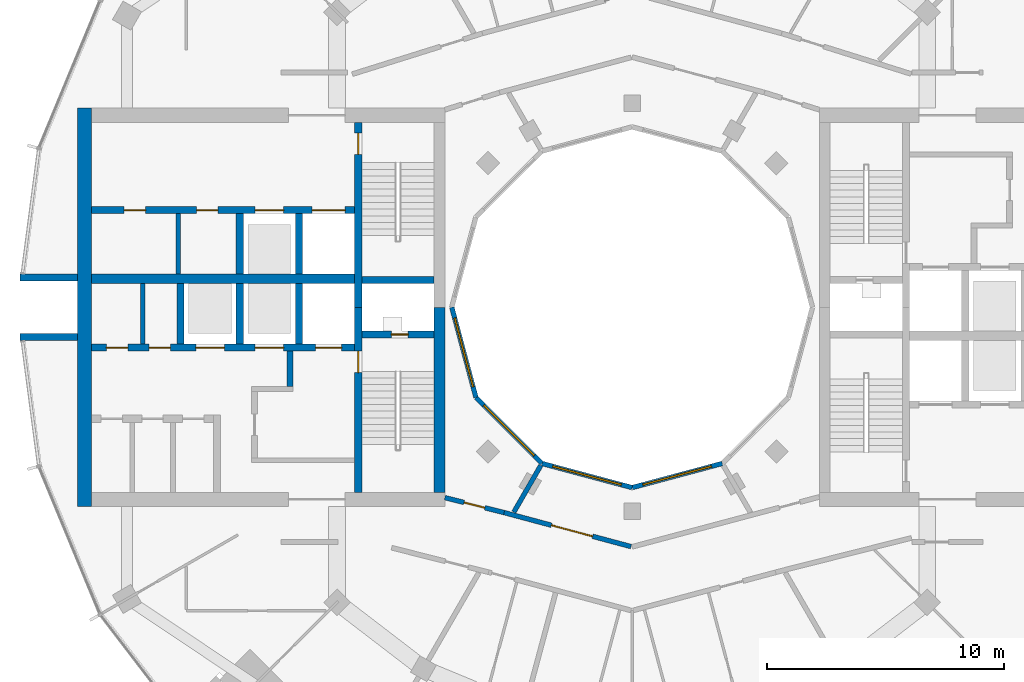
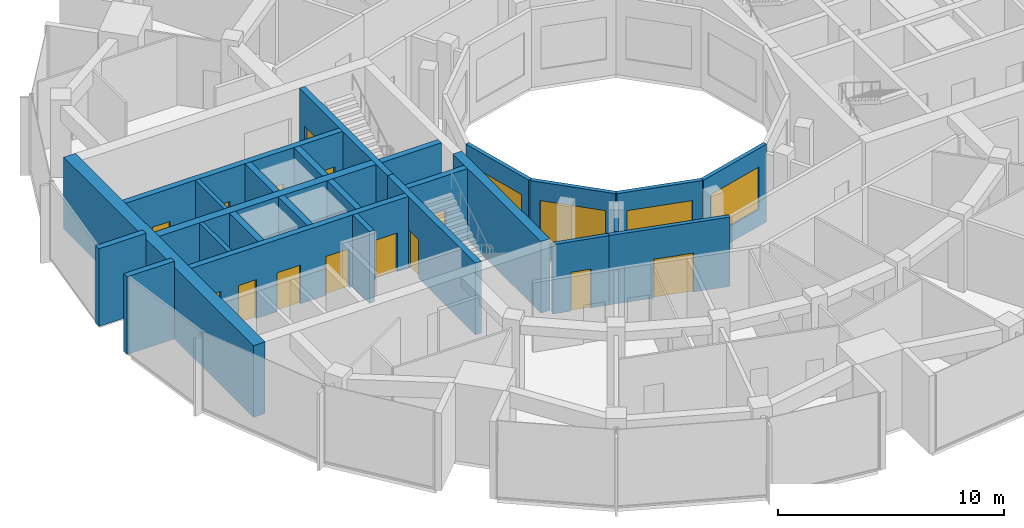
# One storey, part 9 of 15: 26 walls, 14 doors, 4 windows, 18 openings.
"""IFC4 building model written with IfcOpenShell, lengths in metres."""

from ifc_helpers import new_model, si_unit, direction, frame, frame_2d, origin, place, context, subcontext, project, spatial, rectangle, extrude, material, layer, layer_set, type_object, element, fill, save


model = new_model("IFC4")

# Units and contexts
model_context = context("Model", 3, precision=1e-05, world=origin(), true_north=direction((0.0, 1.0)))
body_context = subcontext(model_context, "Body", "Model", "MODEL_VIEW")
ifc_project = project(units=[si_unit("LENGTHUNIT", "METRE"), si_unit("AREAUNIT", "SQUARE_METRE"), si_unit("VOLUMEUNIT", "CUBIC_METRE"), si_unit("PLANEANGLEUNIT", "RADIAN"), si_unit("MASSUNIT", "GRAM", prefix="KILO")], contexts=[model_context])

# Site, building, storey
site_placement = place(None, origin())
site = spatial("IfcSite", under=ifc_project, at=site_placement, CompositionType="ELEMENT")
building_placement = place(site_placement, origin())
building = spatial("IfcBuilding", under=site, at=building_placement, Name="Torre Brocal", CompositionType="ELEMENT")
storey_placement = place(building_placement, frame((0.0, 0.0, 212.5)))
storey = spatial("IfcBuildingStorey", under=building, at=storey_placement, Name="L49", CompositionType="ELEMENT", Elevation=212.5)

# Walls
ifc_material_1 = material(Name="Masonry block", Category="masonry")
ifc_layer_1 = layer(ifc_material_1, 0.199951171875)
ifc_layer_set_1 = layer_set([ifc_layer_1], Name="Masonry block")
wall_type_1 = type_object("IfcWallType", Name="CORE PARTITION 200", PredefinedType="PARTITIONING", material=ifc_layer_set_1)
for number, where, z_axis, x_axis, name in (
    (1, (59.360107421875, 76.0, 0.0), (0.0, 0.0, 1.0), (0.0, -1.0, 0.0), "Wall CP200"),
    (2, (60.860107421875, 78.949951171875, 0.0), (0.0, 0.0, 1.0), (0.0, -1.0, 0.0), "Wall CP200"),
):
    element("IfcWall", number, at=place(storey_placement, frame(where, z_axis=z_axis, x_axis=x_axis)), inside=storey, type_object=wall_type_1, Name=name, PredefinedType="PARTITIONING", context=body_context, shape_type="SweptSolid", body=[
        extrude(rectangle(XDim=2.550048828125, YDim=0.199951171875, at=frame_2d((1.27490234375, 0.0))), origin(), (0.0, 0.0, 1.0), 3.8798828125),
    ])
ifc_material_2 = material(Name="Concrete C60", Category="concrete")
ifc_layer_2 = layer(ifc_material_2, 0.25)
ifc_layer_set_2 = layer_set([ifc_layer_2], Name="Concrete C60")
wall_type_2 = type_object("IfcWallType", Name="CORE WALL 250 C60", PredefinedType="SHEAR", material=ifc_layer_set_2)
wall_1_placement = place(storey_placement, frame((65.574951171875, 73.14990234375, 0.0), z_axis=(0.0, 0.0, 1.0), x_axis=(0.0, -1.0, 0.0)))
element("IfcWall", 3, at=wall_1_placement, inside=storey, type_object=wall_type_2, Name="Wall CW250-60", PredefinedType="SHEAR", context=body_context, shape_type="SweptSolid", body=[
    extrude(rectangle(XDim=1.5, YDim=0.25, at=frame_2d((0.75, 0.0))), origin(), (0.0, 0.0, 1.0), 3.8798828125),
])

# Wall, opening, door
ifc_material_3 = material(Name="Concrete C60", Category="concrete")
ifc_layer_3 = layer(ifc_material_3, 0.300048828125)
ifc_layer_set_3 = layer_set([ifc_layer_3], Name="Concrete C60")
wall_type_3 = type_object("IfcWallType", Name="CORE WALL 300 C60", PredefinedType="SHEAR", material=ifc_layer_set_3)
wall_2_placement = place(storey_placement, frame((68.449951171875, 75.0, 0.0), z_axis=(0.0, 0.0, 1.0), x_axis=(0.0, -1.0, 0.0)))
wall_2 = element("IfcWall", 4, at=wall_2_placement, inside=storey, type_object=wall_type_3, Name="Wall CW300-60", PredefinedType="SHEAR", context=body_context, shape_type="SweptSolid", body=[
    extrude(rectangle(XDim=7.800048828125, YDim=0.300048828125, at=frame_2d((3.89990234375, 0.0))), origin(), (0.0, 0.0, 1.0), 3.8798828125),
])
opening_1_placement = place(wall_2_placement, frame((1.85009765625, 0.0, 0.0)))
opening_1 = element("IfcOpeningElement", 5, at=opening_1_placement, cuts=wall_2, Name="Opening W-D02", PredefinedType="OPENING", context=body_context, shape_type="SweptSolid", body=[
    extrude(rectangle(XDim=0.89990234375, YDim=2.10009765625, at=frame_2d((0.449951171875, 1.050048828125))), frame((0.0, 0.159912109375, 0.0), z_axis=(0.0, -1.0, 0.0), x_axis=(1.0, 0.0, 0.0)), (0.0, 0.0, 1.0), 0.320068359375),
])
ifc_material_4 = material(Name="Steel A653", Category="steel")
door_type_1 = type_object("IfcDoorType", Name="STAIR DOOR FD120 900X2100", OperationType="SINGLE_SWING_RIGHT", PredefinedType="DOOR", material=ifc_material_4)
door_1_placement = place(opening_1_placement, origin())
door_1 = element("IfcDoor", 6, at=door_1_placement, inside=storey, type_object=door_type_1, Name="Door W-D02", OperationType="SINGLE_SWING_LEFT", OverallHeight=2.10009765625, OverallWidth=0.89990234375, PredefinedType="DOOR", context=body_context, shape_type="SweptSolid", body=[
    extrude(rectangle(XDim=0.89990234375, YDim=2.10009765625, at=frame_2d((0.449951171875, 1.050048828125))), frame((0.0, 0.02490234375, 0.0), z_axis=(0.0, -1.0, 0.0), x_axis=(1.0, 0.0, 0.0)), (0.0, 0.0, 1.0), 0.050048828125),
])
fill(opening_1, door_1)

wall_3_placement = place(storey_placement, frame((68.449951171875, 82.800048828125, 0.0), z_axis=(0.0, 0.0, 1.0), x_axis=(0.0, -1.0, 0.0)))
wall_3 = element("IfcWall", 7, at=wall_3_placement, inside=storey, type_object=wall_type_3, Name="Wall CW300-60", PredefinedType="SHEAR", context=body_context, shape_type="SweptSolid", body=[
    extrude(rectangle(XDim=7.800048828125, YDim=0.300048828125, at=frame_2d((3.89990234375, 0.0))), origin(), (0.0, 0.0, 1.0), 3.8798828125),
])
opening_2_placement = place(wall_3_placement, frame((0.449951171875, 0.0, 0.0)))
opening_2 = element("IfcOpeningElement", 8, at=opening_2_placement, cuts=wall_3, Name="Opening W-D03", PredefinedType="OPENING", context=body_context, shape_type="SweptSolid", body=[
    extrude(rectangle(XDim=0.89990234375, YDim=2.10009765625, at=frame_2d((0.449951171875, 1.050048828125))), frame((0.0, 0.159912109375, 0.0), z_axis=(0.0, -1.0, 0.0), x_axis=(1.0, 0.0, 0.0)), (0.0, 0.0, 1.0), 0.320068359375),
])
door_2_placement = place(opening_2_placement, origin())
door_2 = element("IfcDoor", 9, at=door_2_placement, inside=storey, type_object=door_type_1, Name="Door W-D03", OperationType="SINGLE_SWING_LEFT", OverallHeight=2.10009765625, OverallWidth=0.89990234375, PredefinedType="DOOR", context=body_context, shape_type="SweptSolid", body=[
    extrude(rectangle(XDim=0.89990234375, YDim=2.10009765625, at=frame_2d((0.449951171875, 1.050048828125))), frame((0.0, 0.02490234375, 0.0), z_axis=(0.0, -1.0, 0.0), x_axis=(1.0, 0.0, 0.0)), (0.0, 0.0, 1.0), 0.050048828125),
])
fill(opening_2, door_2)

wall_4_placement = place(storey_placement, frame((71.64990234375, 73.85009765625, 0.0), z_axis=(0.0, 0.0, 1.0), x_axis=(-1.0, 0.0, 0.0)))
wall_4 = element("IfcWall", 10, at=wall_4_placement, inside=storey, type_object=wall_type_3, Name="Wall CW300-60", PredefinedType="SHEAR", context=body_context, shape_type="SweptSolid", body=[
    extrude(rectangle(XDim=3.0498046875, YDim=0.300048828125, at=frame_2d((1.52490234375, 0.0))), origin(), (0.0, 0.0, 1.0), 3.8798828125),
])
opening_3_placement = place(wall_4_placement, frame((1.10009765625, 0.0, 0.0)))
opening_3 = element("IfcOpeningElement", 11, at=opening_3_placement, cuts=wall_4, Name="Opening W-D01", PredefinedType="OPENING", context=body_context, shape_type="SweptSolid", body=[
    extrude(rectangle(XDim=0.699951171875, YDim=2.0, at=frame_2d((0.35009765625, 1.0))), frame((0.0, 0.159912109375, 0.0), z_axis=(0.0, -1.0, 0.0), x_axis=(1.0, 0.0, 0.0)), (0.0, 0.0, 1.0), 0.320068359375),
])
ifc_material_5 = material(Name="Steel A653", Category="steel")
door_type_2 = type_object("IfcDoorType", Name="RISER DOOR FD120 700X2000", OperationType="SINGLE_SWING_LEFT", PredefinedType="DOOR", material=ifc_material_5)
door_3_placement = place(opening_3_placement, frame((0.699951171875, 0.0, 0.0), z_axis=(0.0, 0.0, 1.0), x_axis=(-1.0, 0.0, 0.0)))
door_3 = element("IfcDoor", 12, at=door_3_placement, inside=storey, type_object=door_type_2, Name="Door W-D01", OperationType="SINGLE_SWING_RIGHT", OverallHeight=2.0, OverallWidth=0.699951171875, PredefinedType="DOOR", context=body_context, shape_type="SweptSolid", body=[
    extrude(rectangle(XDim=0.699951171875, YDim=2.0, at=frame_2d((0.35009765625, 1.0))), frame((0.0, 0.02490234375, 0.0), z_axis=(0.0, -1.0, 0.0), x_axis=(1.0, 0.0, 0.0)), (0.0, 0.0, 1.0), 0.050048828125),
])
fill(opening_3, door_3)

# Wall
wall_5_placement = place(storey_placement, frame((71.64990234375, 76.14990234375, 0.0), z_axis=(0.0, 0.0, 1.0), x_axis=(-1.0, 0.0, 0.0)))
element("IfcWall", 13, at=wall_5_placement, inside=storey, type_object=wall_type_3, Name="Wall CW300-60", PredefinedType="SHEAR", context=body_context, shape_type="SweptSolid", body=[
    extrude(rectangle(XDim=3.0498046875, YDim=0.300048828125, at=frame_2d((1.52490234375, 0.0))), origin(), (0.0, 0.0, 1.0), 3.8798828125),
])

# Wall, openings, doors
wall_6_placement = place(storey_placement, frame((68.300048828125, 73.300048828125, 0.0), z_axis=(0.0, 0.0, 1.0), x_axis=(-1.0, 0.0, 0.0)))
wall_6 = element("IfcWall", 14, at=wall_6_placement, inside=storey, type_object=wall_type_3, Name="Wall CW300-60", PredefinedType="SHEAR", context=body_context, shape_type="SweptSolid", body=[
    extrude(rectangle(XDim=11.10009765625, YDim=0.300048828125, at=frame_2d((5.550048828125, 0.0))), origin(), (0.0, 0.0, 1.0), 3.8798828125),
])
opening_4_placement = place(wall_6_placement, frame((0.550048828125, 0.0, 0.0)))
opening_4 = element("IfcOpeningElement", 15, at=opening_4_placement, cuts=wall_6, Name="Opening LD", PredefinedType="OPENING", context=body_context, shape_type="SweptSolid", body=[
    extrude(rectangle(XDim=1.10009765625, YDim=2.10009765625, at=frame_2d((0.550048828125, 1.050048828125))), frame((0.0, 0.159912109375, 0.0), z_axis=(0.0, -1.0, 0.0), x_axis=(1.0, 0.0, 0.0)), (0.0, 0.0, 1.0), 0.320068359375),
])
opening_5_placement = place(wall_6_placement, frame((3.0, 0.0, 0.0)))
opening_5 = element("IfcOpeningElement", 16, at=opening_5_placement, cuts=wall_6, Name="Opening LD12", PredefinedType="OPENING", context=body_context, shape_type="SweptSolid", body=[
    extrude(rectangle(XDim=1.199951171875, YDim=2.10009765625, at=frame_2d((0.60009765625, 1.050048828125))), frame((0.0, 0.159912109375, 0.0), z_axis=(0.0, -1.0, 0.0), x_axis=(1.0, 0.0, 0.0)), (0.0, 0.0, 1.0), 0.320068359375),
])
opening_6_placement = place(wall_6_placement, frame((5.5, 0.0, 0.0)))
opening_6 = element("IfcOpeningElement", 17, at=opening_6_placement, cuts=wall_6, Name="Opening LD12", PredefinedType="OPENING", context=body_context, shape_type="SweptSolid", body=[
    extrude(rectangle(XDim=1.199951171875, YDim=2.10009765625, at=frame_2d((0.60009765625, 1.050048828125))), frame((0.0, 0.159912109375, 0.0), z_axis=(0.0, -1.0, 0.0), x_axis=(1.0, 0.0, 0.0)), (0.0, 0.0, 1.0), 0.320068359375),
])
opening_7_placement = place(wall_6_placement, frame((7.77001953125, 0.0, 0.0)))
opening_7 = element("IfcOpeningElement", 18, at=opening_7_placement, cuts=wall_6, Name="Opening W-D04", PredefinedType="OPENING", context=body_context, shape_type="SweptSolid", body=[
    extrude(rectangle(XDim=0.89990234375, YDim=2.10009765625, at=frame_2d((0.449951171875, 1.050048828125))), frame((0.0, 0.159912109375, 0.0), z_axis=(0.0, -1.0, 0.0), x_axis=(1.0, 0.0, 0.0)), (0.0, 0.0, 1.0), 0.320068359375),
])
opening_8_placement = place(wall_6_placement, frame((9.570068359375, 0.0, 0.0)))
opening_8 = element("IfcOpeningElement", 19, at=opening_8_placement, cuts=wall_6, Name="Opening W-D05", PredefinedType="OPENING", context=body_context, shape_type="SweptSolid", body=[
    extrude(rectangle(XDim=0.89990234375, YDim=2.10009765625, at=frame_2d((0.449951171875, 1.050048828125))), frame((0.0, 0.159912109375, 0.0), z_axis=(0.0, -1.0, 0.0), x_axis=(1.0, 0.0, 0.0)), (0.0, 0.0, 1.0), 0.320068359375),
])
ifc_material_6 = material(Name="Stainless steel AISI 316", Category="steel")
door_type_3 = type_object("IfcDoorType", Name="LIFT LANDING DOOR 1100X2100", OperationType="DOUBLE_DOOR_SLIDING", PredefinedType="DOOR", material=ifc_material_6)
door_4_placement = place(opening_4_placement, origin())
door_4 = element("IfcDoor", 20, at=door_4_placement, inside=storey, type_object=door_type_3, Name="Door LD", OperationType="DOUBLE_DOOR_SLIDING", OverallHeight=2.10009765625, OverallWidth=1.10009765625, PredefinedType="DOOR", context=body_context, shape_type="SweptSolid", body=[
    extrude(rectangle(XDim=1.10009765625, YDim=2.10009765625, at=frame_2d((0.550048828125, 1.050048828125))), frame((0.0, 0.02490234375, 0.0), z_axis=(0.0, -1.0, 0.0), x_axis=(1.0, 0.0, 0.0)), (0.0, 0.0, 1.0), 0.050048828125),
])
fill(opening_4, door_4)
ifc_material_7 = material(Name="Stainless steel AISI 316", Category="steel")
door_type_4 = type_object("IfcDoorType", Name="LIFT LANDING DOOR 1200X2100", OperationType="DOUBLE_DOOR_SLIDING", PredefinedType="DOOR", material=ifc_material_7)
door_5_placement = place(opening_5_placement, origin())
door_5 = element("IfcDoor", 21, at=door_5_placement, inside=storey, type_object=door_type_4, Name="Door LD12", OperationType="DOUBLE_DOOR_SLIDING", OverallHeight=2.10009765625, OverallWidth=1.199951171875, PredefinedType="DOOR", context=body_context, shape_type="SweptSolid", body=[
    extrude(rectangle(XDim=1.199951171875, YDim=2.10009765625, at=frame_2d((0.60009765625, 1.050048828125))), frame((0.0, 0.02490234375, 0.0), z_axis=(0.0, -1.0, 0.0), x_axis=(1.0, 0.0, 0.0)), (0.0, 0.0, 1.0), 0.050048828125),
])
fill(opening_5, door_5)
door_6_placement = place(opening_6_placement, origin())
door_6 = element("IfcDoor", 22, at=door_6_placement, inside=storey, type_object=door_type_4, Name="Door LD12", OperationType="DOUBLE_DOOR_SLIDING", OverallHeight=2.10009765625, OverallWidth=1.199951171875, PredefinedType="DOOR", context=body_context, shape_type="SweptSolid", body=[
    extrude(rectangle(XDim=1.199951171875, YDim=2.10009765625, at=frame_2d((0.60009765625, 1.050048828125))), frame((0.0, 0.02490234375, 0.0), z_axis=(0.0, -1.0, 0.0), x_axis=(1.0, 0.0, 0.0)), (0.0, 0.0, 1.0), 0.050048828125),
])
fill(opening_6, door_6)
ifc_material_8 = material(Name="Steel A653", Category="steel")
door_type_5 = type_object("IfcDoorType", Name="ROOM DOOR FD30S 900X2100", OperationType="SINGLE_SWING_LEFT", PredefinedType="DOOR", material=ifc_material_8)
door_7_placement = place(opening_7_placement, frame((0.89990234375, 0.0, 0.0), z_axis=(0.0, 0.0, 1.0), x_axis=(-1.0, 0.0, 0.0)))
door_7 = element("IfcDoor", 23, at=door_7_placement, inside=storey, type_object=door_type_5, Name="Door W-D04", OperationType="SINGLE_SWING_LEFT", OverallHeight=2.10009765625, OverallWidth=0.89990234375, PredefinedType="DOOR", context=body_context, shape_type="SweptSolid", body=[
    extrude(rectangle(XDim=0.89990234375, YDim=2.10009765625, at=frame_2d((0.449951171875, 1.050048828125))), frame((0.0, 0.02490234375, 0.0), z_axis=(0.0, -1.0, 0.0), x_axis=(1.0, 0.0, 0.0)), (0.0, 0.0, 1.0), 0.050048828125),
])
fill(opening_7, door_7)
door_8_placement = place(opening_8_placement, frame((0.89990234375, 0.0, 0.0), z_axis=(0.0, 0.0, 1.0), x_axis=(-1.0, 0.0, 0.0)))
door_8 = element("IfcDoor", 24, at=door_8_placement, inside=storey, type_object=door_type_5, Name="Door W-D05", OperationType="SINGLE_SWING_RIGHT", OverallHeight=2.10009765625, OverallWidth=0.89990234375, PredefinedType="DOOR", context=body_context, shape_type="SweptSolid", body=[
    extrude(rectangle(XDim=0.89990234375, YDim=2.10009765625, at=frame_2d((0.449951171875, 1.050048828125))), frame((0.0, 0.02490234375, 0.0), z_axis=(0.0, -1.0, 0.0), x_axis=(1.0, 0.0, 0.0)), (0.0, 0.0, 1.0), 0.050048828125),
])
fill(opening_8, door_8)

wall_7_placement = place(storey_placement, frame((68.300048828125, 79.10009765625, 0.0), z_axis=(0.0, 0.0, 1.0), x_axis=(-1.0, 0.0, 0.0)))
wall_7 = element("IfcWall", 25, at=wall_7_placement, inside=storey, type_object=wall_type_3, Name="Wall CW300-60", PredefinedType="SHEAR", context=body_context, shape_type="SweptSolid", body=[
    extrude(rectangle(XDim=11.10009765625, YDim=0.300048828125, at=frame_2d((5.550048828125, 0.0))), origin(), (0.0, 0.0, 1.0), 3.8798828125),
])
opening_9_placement = place(wall_7_placement, frame((0.39990234375, 0.0, 0.0)))
opening_9 = element("IfcOpeningElement", 26, at=opening_9_placement, cuts=wall_7, Name="Opening LD14", PredefinedType="OPENING", context=body_context, shape_type="SweptSolid", body=[
    extrude(rectangle(XDim=1.39990234375, YDim=2.10009765625, at=frame_2d((0.699951171875, 1.050048828125))), frame((0.0, 0.159912109375, 0.0), z_axis=(0.0, -1.0, 0.0), x_axis=(1.0, 0.0, 0.0)), (0.0, 0.0, 1.0), 0.320068359375),
])
opening_10_placement = place(wall_7_placement, frame((3.0, 0.0, 0.0)))
opening_10 = element("IfcOpeningElement", 27, at=opening_10_placement, cuts=wall_7, Name="Opening LD12", PredefinedType="OPENING", context=body_context, shape_type="SweptSolid", body=[
    extrude(rectangle(XDim=1.199951171875, YDim=2.10009765625, at=frame_2d((0.60009765625, 1.050048828125))), frame((0.0, 0.159912109375, 0.0), z_axis=(0.0, -1.0, 0.0), x_axis=(1.0, 0.0, 0.0)), (0.0, 0.0, 1.0), 0.320068359375),
])
opening_11_placement = place(wall_7_placement, frame((5.77001953125, 0.0, 0.0)))
opening_11 = element("IfcOpeningElement", 28, at=opening_11_placement, cuts=wall_7, Name="Opening W-D06", PredefinedType="OPENING", context=body_context, shape_type="SweptSolid", body=[
    extrude(rectangle(XDim=0.89990234375, YDim=2.10009765625, at=frame_2d((0.449951171875, 1.050048828125))), frame((0.0, 0.159912109375, 0.0), z_axis=(0.0, -1.0, 0.0), x_axis=(1.0, 0.0, 0.0)), (0.0, 0.0, 1.0), 0.320068359375),
])
opening_12_placement = place(wall_7_placement, frame((8.820068359375, 0.0, 0.0)))
opening_12 = element("IfcOpeningElement", 29, at=opening_12_placement, cuts=wall_7, Name="Opening W-D07", PredefinedType="OPENING", context=body_context, shape_type="SweptSolid", body=[
    extrude(rectangle(XDim=0.89990234375, YDim=2.10009765625, at=frame_2d((0.449951171875, 1.050048828125))), frame((0.0, 0.159912109375, 0.0), z_axis=(0.0, -1.0, 0.0), x_axis=(1.0, 0.0, 0.0)), (0.0, 0.0, 1.0), 0.320068359375),
])
door_9_placement = place(opening_10_placement, origin())
door_9 = element("IfcDoor", 30, at=door_9_placement, inside=storey, type_object=door_type_4, Name="Door LD12", OperationType="DOUBLE_DOOR_SLIDING", OverallHeight=2.10009765625, OverallWidth=1.199951171875, PredefinedType="DOOR", context=body_context, shape_type="SweptSolid", body=[
    extrude(rectangle(XDim=1.199951171875, YDim=2.10009765625, at=frame_2d((0.60009765625, 1.050048828125))), frame((0.0, 0.02490234375, 0.0), z_axis=(0.0, -1.0, 0.0), x_axis=(1.0, 0.0, 0.0)), (0.0, 0.0, 1.0), 0.050048828125),
])
fill(opening_10, door_9)
ifc_material_9 = material(Name="Stainless steel AISI 316", Category="steel")
door_type_6 = type_object("IfcDoorType", Name="LIFT LANDING DOOR 1400X2100", OperationType="DOUBLE_DOOR_SLIDING", PredefinedType="DOOR", material=ifc_material_9)
door_10_placement = place(opening_9_placement, origin())
door_10 = element("IfcDoor", 31, at=door_10_placement, inside=storey, type_object=door_type_6, Name="Door LD14", OperationType="DOUBLE_DOOR_SLIDING", OverallHeight=2.10009765625, OverallWidth=1.39990234375, PredefinedType="DOOR", context=body_context, shape_type="SweptSolid", body=[
    extrude(rectangle(XDim=1.39990234375, YDim=2.10009765625, at=frame_2d((0.699951171875, 1.050048828125))), frame((0.0, 0.02490234375, 0.0), z_axis=(0.0, -1.0, 0.0), x_axis=(1.0, 0.0, 0.0)), (0.0, 0.0, 1.0), 0.050048828125),
])
fill(opening_9, door_10)
door_11_placement = place(opening_11_placement, origin())
door_11 = element("IfcDoor", 32, at=door_11_placement, inside=storey, type_object=door_type_5, Name="Door W-D06", OperationType="SINGLE_SWING_RIGHT", OverallHeight=2.10009765625, OverallWidth=0.89990234375, PredefinedType="DOOR", context=body_context, shape_type="SweptSolid", body=[
    extrude(rectangle(XDim=0.89990234375, YDim=2.10009765625, at=frame_2d((0.449951171875, 1.050048828125))), frame((0.0, 0.02490234375, 0.0), z_axis=(0.0, -1.0, 0.0), x_axis=(1.0, 0.0, 0.0)), (0.0, 0.0, 1.0), 0.050048828125),
])
fill(opening_11, door_11)
door_12_placement = place(opening_12_placement, origin())
door_12 = element("IfcDoor", 33, at=door_12_placement, inside=storey, type_object=door_type_5, Name="Door W-D07", OperationType="SINGLE_SWING_LEFT", OverallHeight=2.10009765625, OverallWidth=0.89990234375, PredefinedType="DOOR", context=body_context, shape_type="SweptSolid", body=[
    extrude(rectangle(XDim=0.89990234375, YDim=2.10009765625, at=frame_2d((0.449951171875, 1.050048828125))), frame((0.0, 0.02490234375, 0.0), z_axis=(0.0, -1.0, 0.0), x_axis=(1.0, 0.0, 0.0)), (0.0, 0.0, 1.0), 0.050048828125),
])
fill(opening_12, door_12)

# Walls
for number, where, z_axis, x_axis, name in (
    (34, (65.949951171875, 76.0, 0.0), (0.0, 0.0, 1.0), (0.0, -1.0, 0.0), "Wall CW300-60"),
    (35, (63.449951171875, 76.0, 0.0), (0.0, 0.0, 1.0), (0.0, -1.0, 0.0), "Wall CW300-60"),
    (36, (60.949951171875, 76.0, 0.0), (0.0, 0.0, 1.0), (0.0, -1.0, 0.0), "Wall CW300-60"),
    (37, (65.949951171875, 78.949951171875, 0.0), (0.0, 0.0, 1.0), (0.0, -1.0, 0.0), "Wall CW300-60"),
    (38, (63.449951171875, 78.949951171875, 0.0), (0.0, 0.0, 1.0), (0.0, -1.0, 0.0), "Wall CW300-60"),
):
    element("IfcWall", number, at=place(storey_placement, frame(where, z_axis=z_axis, x_axis=x_axis)), inside=storey, type_object=wall_type_3, Name=name, PredefinedType="SHEAR", context=body_context, shape_type="SweptSolid", body=[
        extrude(rectangle(XDim=2.550048828125, YDim=0.300048828125, at=frame_2d((1.27490234375, 0.0))), origin(), (0.0, 0.0, 1.0), 3.8798828125),
    ])
ifc_material_10 = material(Name="Concrete C60", Category="concrete")
ifc_layer_4 = layer(ifc_material_10, 0.39990234375)
ifc_layer_set_4 = layer_set([ifc_layer_4], Name="Concrete C60")
wall_type_4 = type_object("IfcWallType", Name="CORE WALL 400 C60", PredefinedType="SHEAR", material=ifc_layer_set_4)
wall_8_placement = place(storey_placement, frame((68.300048828125, 76.199951171875, 0.0), z_axis=(0.0, 0.0, 1.0), x_axis=(-1.0, 0.0, 0.0)))
element("IfcWall", 39, at=wall_8_placement, inside=storey, type_object=wall_type_4, Name="Wall CW400-60", PredefinedType="SHEAR", context=body_context, shape_type="SweptSolid", body=[
    extrude(rectangle(XDim=11.10009765625, YDim=0.39990234375, at=frame_2d((5.550048828125, 0.0))), origin(), (0.0, 0.0, 1.0), 3.8798828125),
])
ifc_material_11 = material(Name="Concrete C60", Category="concrete")
ifc_layer_5 = layer(ifc_material_11, 0.449951171875)
ifc_layer_set_5 = layer_set([ifc_layer_5], Name="Concrete C60")
wall_type_5 = type_object("IfcWallType", Name="CORE WALL 450 C60", PredefinedType="SHEAR", material=ifc_layer_set_5)
wall_9_placement = place(storey_placement, frame((71.875, 75.0, 0.0), z_axis=(0.0, 0.0, 1.0), x_axis=(0.0, -1.0, 0.0)))
element("IfcWall", 40, at=wall_9_placement, inside=storey, type_object=wall_type_5, Name="Wall CW450-60", PredefinedType="SHEAR", context=body_context, shape_type="SweptSolid", body=[
    extrude(rectangle(XDim=7.800048828125, YDim=0.449951171875, at=frame_2d((3.89990234375, 0.0))), origin(), (0.0, 0.0, 1.0), 3.8798828125),
])
ifc_material_12 = material(Name="Concrete C60", Category="concrete")
ifc_layer_6 = layer(ifc_material_12, 0.60009765625)
ifc_layer_set_6 = layer_set([ifc_layer_6], Name="Concrete C60")
wall_type_6 = type_object("IfcWallType", Name="CORE WALL 600 C60", PredefinedType="SHEAR", material=ifc_layer_set_6)
wall_10_placement = place(storey_placement, frame((56.89990234375, 83.39990234375, 0.0), z_axis=(0.0, 0.0, 1.0), x_axis=(0.0, -1.0, 0.0)))
element("IfcWall", 41, at=wall_10_placement, inside=storey, type_object=wall_type_6, Name="Wall CW600-60", PredefinedType="SHEAR", context=body_context, shape_type="SweptSolid", body=[
    extrude(rectangle(XDim=16.7998046875, YDim=0.60009765625, at=frame_2d((8.39990234375, 0.0))), origin(), (0.0, 0.0, 1.0), 3.8798828125),
])
ifc_material_13 = material(Name="Concrete C60", Category="concrete")
ifc_layer_7 = layer(ifc_material_13, 0.300048828125)
ifc_layer_set_7 = layer_set([ifc_layer_7], Name="Concrete C60")
wall_type_7 = type_object("IfcWallType", Name="NOTCH RETURN WALL 300 C60", PredefinedType="NOTDEFINED", material=ifc_layer_set_7)
for number, where, z_axis, x_axis, name in (
    (42, (56.60009765625, 76.25, 0.0), (0.0, 0.0, 1.0), (-1.0, 0.0, 0.0), "NOTCH RETURN WALL"),
    (43, (56.60009765625, 73.75, 0.0), (0.0, 0.0, 1.0), (-1.0, 0.0, 0.0), "NOTCH RETURN WALL"),
):
    element("IfcWall", number, at=place(storey_placement, frame(where, z_axis=z_axis, x_axis=x_axis)), inside=storey, type_object=wall_type_7, Name=name, PredefinedType="NOTDEFINED", context=body_context, shape_type="SweptSolid", body=[
        extrude(rectangle(XDim=2.415771484375, YDim=0.300048828125, at=frame_2d((1.2080078125, 0.0))), origin(), (0.0, 0.0, 1.0), 4.199951171875),
    ])

# Wall, opening, door
ifc_material_14 = material(Name="Gypsum board", Category="Gypsum")
ifc_layer_8 = layer(ifc_material_14, 0.199951171875)
ifc_layer_set_8 = layer_set([ifc_layer_8], Name="Gypsum board")
wall_type_8 = type_object("IfcWallType", Name="PARTITION 200 EI60", PredefinedType="PARTITIONING", material=ifc_layer_set_8)
wall_11_placement = place(storey_placement, frame((72.10009765625, 66.97509765625, 0.0), z_axis=(0.0, 0.0, 1.0), x_axis=(0.969471314457, -0.245204752086, 0.0)))
wall_11 = element("IfcWall", 44, at=wall_11_placement, inside=storey, type_object=wall_type_8, Name="CORRIDOR WALL", PredefinedType="PARTITIONING", context=body_context, shape_type="SweptSolid", body=[
    extrude(rectangle(XDim=2.581787109375, YDim=0.199951171875, at=frame_2d((1.291015625, 0.0))), origin(), (0.0, 0.0, 1.0), 3.75),
])
opening_13_placement = place(wall_11_placement, frame((0.8408203125, 0.0, 0.0)))
opening_13 = element("IfcOpeningElement", 45, at=opening_13_placement, cuts=wall_11, Name="Opening B01-D39", PredefinedType="OPENING", context=body_context, shape_type="SweptSolid", body=[
    extrude(rectangle(XDim=0.89990234375, YDim=2.10009765625, at=frame_2d((0.449951171875, 1.050048828125))), frame((0.0, 0.10986328125, 0.0), z_axis=(0.0, -1.0, 0.0), x_axis=(1.0, 0.0, 0.0)), (0.0, 0.0, 1.0), 0.219970703125),
])
ifc_material_15 = material(Name="Timber", Category="wood")
door_type_7 = type_object("IfcDoorType", Name="ROOM DOOR 900X2100", OperationType="SINGLE_SWING_LEFT", PredefinedType="DOOR", material=ifc_material_15)
door_13_placement = place(opening_13_placement, origin())
door_13 = element("IfcDoor", 46, at=door_13_placement, inside=storey, type_object=door_type_7, Name="B01-D39", OperationType="SINGLE_SWING_LEFT", OverallHeight=2.10009765625, OverallWidth=0.89990234375, PredefinedType="DOOR", context=body_context, shape_type="SweptSolid", body=[
    extrude(rectangle(XDim=0.89990234375, YDim=2.10009765625, at=frame_2d((0.449951171875, 1.050048828125))), frame((0.0, 0.02490234375, 0.0), z_axis=(0.0, -1.0, 0.0), x_axis=(1.0, 0.0, 0.0)), (0.0, 0.0, 1.0), 0.050048828125),
])
fill(opening_13, door_13)

wall_12_placement = place(storey_placement, frame((74.60302734375, 66.34228515625, 0.0), z_axis=(0.0, 0.0, 1.0), x_axis=(0.965895298152, -0.258932950796, 0.0)))
wall_12 = element("IfcWall", 47, at=wall_12_placement, inside=storey, type_object=wall_type_8, Name="CORRIDOR WALL", PredefinedType="PARTITIONING", context=body_context, shape_type="SweptSolid", body=[
    extrude(rectangle(XDim=5.53759765625, YDim=0.199951171875, at=frame_2d((2.768798828125, 0.0))), origin(), (0.0, 0.0, 1.0), 3.75),
])
opening_14_placement = place(wall_12_placement, frame((2.0625, 0.0, 0.0)))
opening_14 = element("IfcOpeningElement", 48, at=opening_14_placement, cuts=wall_12, Name="Opening B01-D38", PredefinedType="OPENING", context=body_context, shape_type="SweptSolid", body=[
    extrude(rectangle(XDim=1.800048828125, YDim=2.10009765625, at=frame_2d((0.89990234375, 1.050048828125))), frame((0.0, 0.10986328125, 0.0), z_axis=(0.0, -1.0, 0.0), x_axis=(1.0, 0.0, 0.0)), (0.0, 0.0, 1.0), 0.219970703125),
])
ifc_material_16 = material(Name="Timber", Category="wood")
door_type_8 = type_object("IfcDoorType", Name="DOUBLE DOOR 1800X2100", OperationType="DOUBLE_DOOR_SINGLE_SWING", PredefinedType="DOOR", material=ifc_material_16)
door_14_placement = place(opening_14_placement, origin())
door_14 = element("IfcDoor", 49, at=door_14_placement, inside=storey, type_object=door_type_8, Name="B01-D38", OperationType="DOUBLE_DOOR_SINGLE_SWING", OverallHeight=2.10009765625, OverallWidth=1.800048828125, PredefinedType="DOOR", context=body_context, shape_type="SweptSolid", body=[
    extrude(rectangle(XDim=1.800048828125, YDim=2.10009765625, at=frame_2d((0.89990234375, 1.050048828125))), frame((0.0, 0.02490234375, 0.0), z_axis=(0.0, -1.0, 0.0), x_axis=(1.0, 0.0, 0.0)), (0.0, 0.0, 1.0), 0.050048828125),
])
fill(opening_14, door_14)

# Wall
wall_13_placement = place(storey_placement, frame((75.0126953125, 66.36279296875, 0.0), z_axis=(0.0, 0.0, 1.0), x_axis=(0.500121996664, 0.86595495752, 0.0)))
element("IfcWall", 50, at=wall_13_placement, inside=storey, type_object=wall_type_8, Name="SERVICE ROOM WALL", PredefinedType="PARTITIONING", context=body_context, shape_type="SweptSolid", body=[
    extrude(rectangle(XDim=2.2744140625, YDim=0.199951171875, at=frame_2d((1.13720703125, 0.0))), origin(), (0.0, 0.0, 1.0), 3.75),
])

# Wall, opening, window
ifc_material_17 = material(Name="Concrete C40", Category="concrete")
ifc_layer_9 = layer(ifc_material_17, 0.199951171875)
ifc_layer_set_9 = layer_set([ifc_layer_9], Name="Concrete C40")
wall_type_9 = type_object("IfcWallType", Name="WELL FACADE WALL 200", PredefinedType="NOTDEFINED", material=ifc_layer_set_9)
wall_14_placement = place(storey_placement, frame((72.396484375, 75.0, 0.0), z_axis=(0.0, 0.0, 1.0), x_axis=(0.258789828301, -0.965933654434, 0.0)))
wall_14 = element("IfcWall", 51, at=wall_14_placement, inside=storey, type_object=wall_type_9, Name="WELL FACADE WALL", PredefinedType="NOTDEFINED", context=body_context, shape_type="SweptSolid", body=[
    extrude(rectangle(XDim=3.935791015625, YDim=0.199951171875, at=frame_2d((1.9677734375, 0.0))), origin(), (0.0, 0.0, 1.0), 4.199951171875),
])
opening_15_placement = place(wall_14_placement, frame((0.468017578125, 0.0, 0.89990234375)))
opening_15 = element("IfcOpeningElement", 52, at=opening_15_placement, cuts=wall_14, Name="Opening W1", PredefinedType="OPENING", context=body_context, shape_type="SweptSolid", body=[
    extrude(rectangle(XDim=3.0, YDim=2.300048828125, at=frame_2d((1.5, 1.14990234375))), frame((0.0, 0.10986328125, 0.0), z_axis=(0.0, -1.0, 0.0), x_axis=(1.0, 0.0, 0.0)), (0.0, 0.0, 1.0), 0.219970703125),
])
ifc_material_18 = material(Name="Aluminium and glass", Category="aluminium")
window_type = type_object("IfcWindowType", Name="WELL WINDOW 3000X2300", PartitioningType="SINGLE_PANEL", PredefinedType="WINDOW", material=ifc_material_18)
window_1_placement = place(opening_15_placement, origin())
window_1 = element("IfcWindow", 53, at=window_1_placement, inside=storey, type_object=window_type, Name="WELL WINDOW 3000X2300", OverallHeight=2.300048828125, OverallWidth=3.0, PartitioningType="SINGLE_PANEL", PredefinedType="WINDOW", context=body_context, shape_type="SweptSolid", body=[
    extrude(rectangle(XDim=3.0, YDim=2.300048828125, at=frame_2d((1.5, 1.14990234375))), frame((0.0, 0.030029296875, 0.0), z_axis=(0.0, -1.0, 0.0), x_axis=(1.0, 0.0, 0.0)), (0.0, 0.0, 1.0), 0.06005859375),
])
fill(opening_15, window_1)

wall_15_placement = place(storey_placement, frame((73.4150390625, 71.1982421875, 0.0), z_axis=(0.0, 0.0, 1.0), x_axis=(0.707106781187, -0.707106781187, 0.0)))
wall_15 = element("IfcWall", 54, at=wall_15_placement, inside=storey, type_object=wall_type_9, Name="WELL FACADE WALL", PredefinedType="NOTDEFINED", context=body_context, shape_type="SweptSolid", body=[
    extrude(rectangle(XDim=3.93603515625, YDim=0.199951171875, at=frame_2d((1.968017578125, 0.0))), origin(), (0.0, 0.0, 1.0), 4.199951171875),
])
opening_16_placement = place(wall_15_placement, frame((0.468017578125, 0.0, 0.89990234375)))
opening_16 = element("IfcOpeningElement", 55, at=opening_16_placement, cuts=wall_15, Name="Opening W1", PredefinedType="OPENING", context=body_context, shape_type="SweptSolid", body=[
    extrude(rectangle(XDim=3.0, YDim=2.300048828125, at=frame_2d((1.5, 1.14990234375))), frame((0.0, 0.10986328125, 0.0), z_axis=(0.0, -1.0, 0.0), x_axis=(1.0, 0.0, 0.0)), (0.0, 0.0, 1.0), 0.219970703125),
])
window_2_placement = place(opening_16_placement, origin())
window_2 = element("IfcWindow", 56, at=window_2_placement, inside=storey, type_object=window_type, Name="WELL WINDOW 3000X2300", OverallHeight=2.300048828125, OverallWidth=3.0, PartitioningType="SINGLE_PANEL", PredefinedType="WINDOW", context=body_context, shape_type="SweptSolid", body=[
    extrude(rectangle(XDim=3.0, YDim=2.300048828125, at=frame_2d((1.5, 1.14990234375))), frame((0.0, 0.030029296875, 0.0), z_axis=(0.0, -1.0, 0.0), x_axis=(1.0, 0.0, 0.0)), (0.0, 0.0, 1.0), 0.06005859375),
])
fill(opening_16, window_2)

wall_16_placement = place(storey_placement, frame((76.1982421875, 68.4150390625, 0.0), z_axis=(0.0, 0.0, 1.0), x_axis=(0.965933654434, -0.258789828301, 0.0)))
wall_16 = element("IfcWall", 57, at=wall_16_placement, inside=storey, type_object=wall_type_9, Name="WELL FACADE WALL", PredefinedType="NOTDEFINED", context=body_context, shape_type="SweptSolid", body=[
    extrude(rectangle(XDim=3.935791015625, YDim=0.199951171875, at=frame_2d((1.9677734375, 0.0))), origin(), (0.0, 0.0, 1.0), 4.199951171875),
])
opening_17_placement = place(wall_16_placement, frame((0.468017578125, 0.0, 0.89990234375)))
opening_17 = element("IfcOpeningElement", 58, at=opening_17_placement, cuts=wall_16, Name="Opening W1", PredefinedType="OPENING", context=body_context, shape_type="SweptSolid", body=[
    extrude(rectangle(XDim=3.0, YDim=2.300048828125, at=frame_2d((1.5, 1.14990234375))), frame((0.0, 0.10986328125, 0.0), z_axis=(0.0, -1.0, 0.0), x_axis=(1.0, 0.0, 0.0)), (0.0, 0.0, 1.0), 0.219970703125),
])
window_3_placement = place(opening_17_placement, origin())
window_3 = element("IfcWindow", 59, at=window_3_placement, inside=storey, type_object=window_type, Name="WELL WINDOW 3000X2300", OverallHeight=2.300048828125, OverallWidth=3.0, PartitioningType="SINGLE_PANEL", PredefinedType="WINDOW", context=body_context, shape_type="SweptSolid", body=[
    extrude(rectangle(XDim=3.0, YDim=2.300048828125, at=frame_2d((1.5, 1.14990234375))), frame((0.0, 0.030029296875, 0.0), z_axis=(0.0, -1.0, 0.0), x_axis=(1.0, 0.0, 0.0)), (0.0, 0.0, 1.0), 0.06005859375),
])
fill(opening_17, window_3)

wall_17_placement = place(storey_placement, frame((80.0, 67.396484375, 0.0), z_axis=(0.0, 0.0, 1.0), x_axis=(0.965933654434, 0.258789828301, 0.0)))
wall_17 = element("IfcWall", 60, at=wall_17_placement, inside=storey, type_object=wall_type_9, Name="WELL FACADE WALL", PredefinedType="NOTDEFINED", context=body_context, shape_type="SweptSolid", body=[
    extrude(rectangle(XDim=3.935791015625, YDim=0.199951171875, at=frame_2d((1.9677734375, 0.0))), origin(), (0.0, 0.0, 1.0), 4.199951171875),
])
opening_18_placement = place(wall_17_placement, frame((0.468017578125, 0.0, 0.89990234375)))
opening_18 = element("IfcOpeningElement", 61, at=opening_18_placement, cuts=wall_17, Name="Opening W1", PredefinedType="OPENING", context=body_context, shape_type="SweptSolid", body=[
    extrude(rectangle(XDim=3.0, YDim=2.300048828125, at=frame_2d((1.5, 1.14990234375))), frame((0.0, 0.10986328125, 0.0), z_axis=(0.0, -1.0, 0.0), x_axis=(1.0, 0.0, 0.0)), (0.0, 0.0, 1.0), 0.219970703125),
])
window_4_placement = place(opening_18_placement, origin())
window_4 = element("IfcWindow", 62, at=window_4_placement, inside=storey, type_object=window_type, Name="WELL WINDOW 3000X2300", OverallHeight=2.300048828125, OverallWidth=3.0, PartitioningType="SINGLE_PANEL", PredefinedType="WINDOW", context=body_context, shape_type="SweptSolid", body=[
    extrude(rectangle(XDim=3.0, YDim=2.300048828125, at=frame_2d((1.5, 1.14990234375))), frame((0.0, 0.030029296875, 0.0), z_axis=(0.0, -1.0, 0.0), x_axis=(1.0, 0.0, 0.0)), (0.0, 0.0, 1.0), 0.06005859375),
])
fill(opening_18, window_4)

save(model, "model.ifc")
